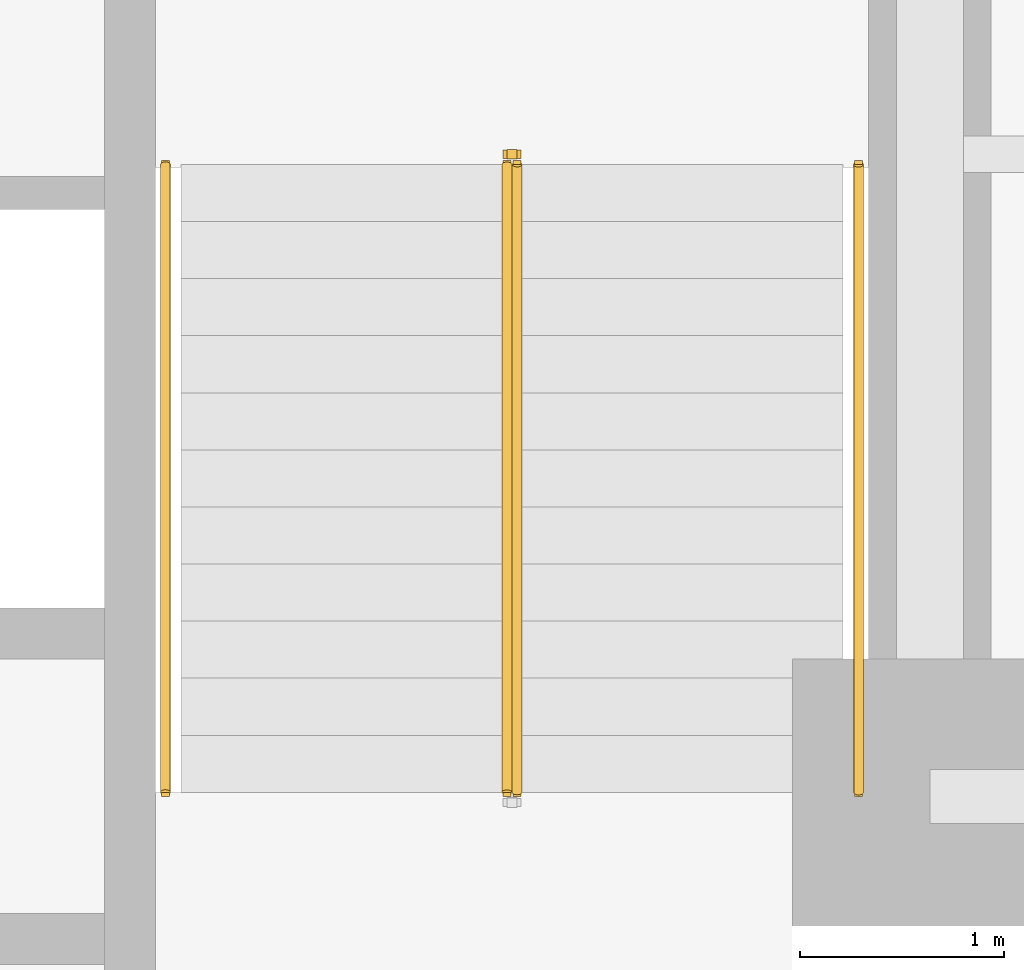
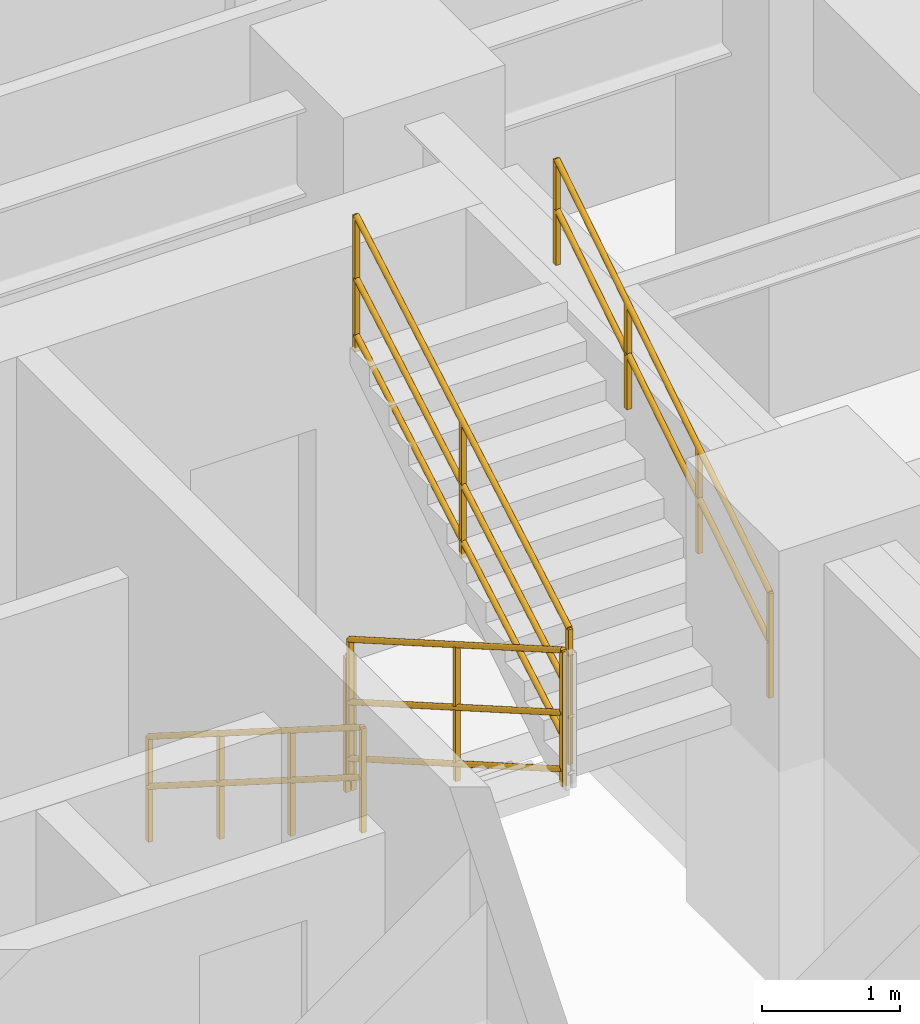
# One storey, part 8 of 9: 5 railings.
"""IFC4 building model written with IfcOpenShell, lengths in metres."""

from ifc_helpers import new_model, entity, si_unit, converted_unit, direction, frame, origin_with_axes, origin_2d_with_axis, place, context, subcontext, project, spatial, rectangle, circle, extrude, material, type_object, element, save


model = new_model("IFC4")

# Units and contexts
model_context = context("Model", 3, precision=1e-05, world=origin_with_axes(), true_north=direction((0.0, 1.0)))
body_context = subcontext(model_context, "Body", "Model", "MODEL_VIEW")
ifc_project = project(units=[si_unit("LENGTHUNIT", "METRE"), si_unit("AREAUNIT", "SQUARE_METRE"), si_unit("VOLUMEUNIT", "CUBIC_METRE"), converted_unit("PLANEANGLEUNIT", "DEGREE", entity("IfcPlaneAngleMeasure", 0.017453292519943295), si_unit("PLANEANGLEUNIT", "RADIAN"), dimensions=[0, 0, 0, 0, 0, 0, 0]), si_unit("MASSUNIT", "GRAM", prefix="KILO"), si_unit("THERMODYNAMICTEMPERATUREUNIT", "KELVIN")], contexts=[model_context])

# Site, building, storey
site_placement = place(None, origin_with_axes())
site = spatial("IfcSite", under=ifc_project, at=site_placement, CompositionType="ELEMENT")
building_placement = place(site_placement, origin_with_axes())
building = spatial("IfcBuilding", under=site, at=building_placement, Name="Varnlund Millrace Tower", CompositionType="ELEMENT")
storey_placement = place(building_placement, frame((0.0, 0.0, 52.2), z_axis=(0.0, 0.0, 1.0), x_axis=(1.0, 0.0, 0.0)))
storey = spatial("IfcBuildingStorey", under=building, at=storey_placement, Name="L12", CompositionType="ELEMENT", Elevation=52.2)

# Railings
ifc_material_1 = material(Name="Painted steel stair well balustrade guard", Category="steel")
railing_type_1 = type_object("IfcRailingType", Name="Type-StairGuard-1150", PredefinedType="GUARDRAIL", material=ifc_material_1)
railing_1_placement = place(storey_placement, frame((0.0, 0.0, -52.2), z_axis=(0.0, 0.0, 1.0), x_axis=(1.0, 0.0, 0.0)))
element("IfcRailing", 1, at=railing_1_placement, inside=storey, type_object=railing_type_1, Name="Type-StairGuard-1150", PredefinedType="GUARDRAIL", context=body_context, shape_type="SweptSolid", body=[
    extrude(circle(Radius=0.024, at=origin_2d_with_axis()), frame((45.975, 21.1, 53.527273), z_axis=(0.0, -0.866696, 0.498836), x_axis=(1.0, 0.0, 0.0)), (0.0, 0.0, 1.0), 3.553725),
    extrude(circle(Radius=0.024, at=origin_2d_with_axis()), frame((45.975, 21.1, 52.477273), z_axis=(0.0, -0.866696, 0.498836), x_axis=(1.0, 0.0, 0.0)), (0.0, 0.0, 1.0), 3.553725),
    extrude(circle(Radius=0.024, at=origin_2d_with_axis()), frame((45.975, 21.1, 52.975273), z_axis=(0.0, -0.866696, 0.498836), x_axis=(1.0, 0.0, 0.0)), (0.0, 0.0, 1.0), 3.553725),
    extrude(rectangle(XDim=0.04, YDim=0.04, at=origin_2d_with_axis()), frame((45.975, 21.1, 52.337273), z_axis=(0.0, 0.0, 1.0), x_axis=(1.0, 0.0, 0.0)), (0.0, 0.0, 1.0), 1.19),
    extrude(rectangle(XDim=0.04, YDim=0.04, at=origin_2d_with_axis()), frame((45.975, 19.56, 53.223637), z_axis=(0.0, 0.0, 1.0), x_axis=(1.0, 0.0, 0.0)), (0.0, 0.0, 1.0), 1.19),
    extrude(rectangle(XDim=0.04, YDim=0.04, at=origin_2d_with_axis()), frame((45.975, 18.02, 54.11), z_axis=(0.0, 0.0, 1.0), x_axis=(1.0, 0.0, 0.0)), (0.0, 0.0, 1.0), 1.19),
])
railing_2_placement = place(storey_placement, frame((0.0, 0.0, -52.2), z_axis=(0.0, 0.0, 1.0), x_axis=(1.0, 0.0, 0.0)))
element("IfcRailing", 2, at=railing_2_placement, inside=storey, type_object=railing_type_1, Name="Type-StairGuard-1150", PredefinedType="GUARDRAIL", context=body_context, shape_type="SweptSolid", body=[
    extrude(circle(Radius=0.024, at=origin_2d_with_axis()), frame((46.025, 18.02, 55.477273), z_axis=(0.0, 0.866696, 0.498836), x_axis=(-1.0, 0.0, 0.0)), (0.0, 0.0, 1.0), 3.553725),
    extrude(circle(Radius=0.024, at=origin_2d_with_axis()), frame((46.025, 18.02, 54.427273), z_axis=(0.0, 0.866696, 0.498836), x_axis=(-1.0, 0.0, 0.0)), (0.0, 0.0, 1.0), 3.553725),
    extrude(circle(Radius=0.024, at=origin_2d_with_axis()), frame((46.025, 18.02, 54.925273), z_axis=(0.0, 0.866696, 0.498836), x_axis=(-1.0, 0.0, 0.0)), (0.0, 0.0, 1.0), 3.553725),
    extrude(rectangle(XDim=0.04, YDim=0.04, at=origin_2d_with_axis()), frame((46.025, 18.02, 54.287273), z_axis=(0.0, 0.0, 1.0), x_axis=(1.0, 0.0, 0.0)), (0.0, 0.0, 1.0), 1.19),
    extrude(rectangle(XDim=0.04, YDim=0.04, at=origin_2d_with_axis()), frame((46.025, 19.56, 55.173636), z_axis=(0.0, 0.0, 1.0), x_axis=(1.0, 0.0, 0.0)), (0.0, 0.0, 1.0), 1.19),
    extrude(rectangle(XDim=0.04, YDim=0.04, at=origin_2d_with_axis()), frame((46.025, 21.1, 56.06), z_axis=(0.0, 0.0, 1.0), x_axis=(1.0, 0.0, 0.0)), (0.0, 0.0, 1.0), 1.19),
])
railing_3_placement = place(storey_placement, frame((0.0, 0.0, -52.2), z_axis=(0.0, 0.0, 1.0), x_axis=(1.0, 0.0, 0.0)))
element("IfcRailing", 3, at=railing_3_placement, inside=storey, type_object=railing_type_1, Name="Type-StairGuard-1150", PredefinedType="GUARDRAIL", context=body_context, shape_type="SweptSolid", body=[
    extrude(circle(Radius=0.024, at=origin_2d_with_axis()), frame((46.025, 21.15, 53.35), z_axis=(-1.0, 0.0, 0.0), x_axis=(0.0, -1.0, 0.0)), (0.0, 0.0, 1.0), 0.05),
    extrude(circle(Radius=0.024, at=origin_2d_with_axis()), frame((46.025, 21.15, 52.3), z_axis=(-1.0, 0.0, 0.0), x_axis=(0.0, -1.0, 0.0)), (0.0, 0.0, 1.0), 0.05),
    extrude(circle(Radius=0.024, at=origin_2d_with_axis()), frame((46.025, 21.15, 52.798), z_axis=(-1.0, 0.0, 0.0), x_axis=(0.0, -1.0, 0.0)), (0.0, 0.0, 1.0), 0.05),
    extrude(rectangle(XDim=0.04, YDim=0.04, at=origin_2d_with_axis()), frame((46.025, 21.15, 52.16), z_axis=(0.0, 0.0, 1.0), x_axis=(1.0, 0.0, 0.0)), (0.0, 0.0, 1.0), 1.19),
    extrude(rectangle(XDim=0.04, YDim=0.04, at=origin_2d_with_axis()), frame((45.975, 21.15, 52.16), z_axis=(0.0, 0.0, 1.0), x_axis=(1.0, 0.0, 0.0)), (0.0, 0.0, 1.0), 1.19),
])
ifc_material_2 = material(Name="Brushed architectural bronze stair handrail", Category="aluminium")
railing_type_2 = type_object("IfcRailingType", Name="Type-StairHandrail-900", PredefinedType="HANDRAIL", material=ifc_material_2)
railing_4_placement = place(storey_placement, frame((0.0, 0.0, -52.2), z_axis=(0.0, 0.0, 1.0), x_axis=(1.0, 0.0, 0.0)))
element("IfcRailing", 4, at=railing_4_placement, inside=storey, type_object=railing_type_2, Name="Type-StairHandrail-900", PredefinedType="HANDRAIL", context=body_context, shape_type="SweptSolid", body=[
    extrude(circle(Radius=0.024, at=origin_2d_with_axis()), frame((44.3, 21.1, 53.256995), z_axis=(0.0, -0.844902, 0.534922), x_axis=(1.0, 0.0, 0.0)), (0.0, 0.0, 1.0), 3.645394),
    extrude(circle(Radius=0.024, at=origin_2d_with_axis()), frame((44.3, 21.1, 52.817134), z_axis=(0.0, -0.844902, 0.534922), x_axis=(1.0, 0.0, 0.0)), (0.0, 0.0, 1.0), 3.645394),
    extrude(rectangle(XDim=0.04, YDim=0.04, at=origin_2d_with_axis()), frame((44.3, 21.1, 52.337273), z_axis=(0.0, 0.0, 1.0), x_axis=(1.0, 0.0, 0.0)), (0.0, 0.0, 1.0), 0.919722),
    extrude(rectangle(XDim=0.04, YDim=0.04, at=origin_2d_with_axis()), frame((44.3, 20.073333, 52.987273), z_axis=(0.0, 0.0, 1.0), x_axis=(1.0, 0.0, 0.0)), (0.0, 0.0, 1.0), 0.919722),
    extrude(rectangle(XDim=0.04, YDim=0.04, at=origin_2d_with_axis()), frame((44.3, 19.046667, 53.637273), z_axis=(0.0, 0.0, 1.0), x_axis=(1.0, 0.0, 0.0)), (0.0, 0.0, 1.0), 0.919722),
    extrude(rectangle(XDim=0.04, YDim=0.04, at=origin_2d_with_axis()), frame((44.3, 18.02, 54.287273), z_axis=(0.0, 0.0, 1.0), x_axis=(1.0, 0.0, 0.0)), (0.0, 0.0, 1.0), 0.919722),
])
railing_5_placement = place(storey_placement, frame((0.0, 0.0, -52.2), z_axis=(0.0, 0.0, 1.0), x_axis=(1.0, 0.0, 0.0)))
element("IfcRailing", 5, at=railing_5_placement, inside=storey, type_object=railing_type_2, Name="Type-StairHandrail-900", PredefinedType="HANDRAIL", context=body_context, shape_type="SweptSolid", body=[
    extrude(circle(Radius=0.024, at=origin_2d_with_axis()), frame((47.7, 18.02, 55.206995), z_axis=(0.0, 0.844902, 0.534922), x_axis=(-1.0, 0.0, 0.0)), (0.0, 0.0, 1.0), 3.645394),
    extrude(circle(Radius=0.024, at=origin_2d_with_axis()), frame((47.7, 18.02, 54.767134), z_axis=(0.0, 0.844902, 0.534922), x_axis=(-1.0, 0.0, 0.0)), (0.0, 0.0, 1.0), 3.645394),
    extrude(rectangle(XDim=0.04, YDim=0.04, at=origin_2d_with_axis()), frame((47.7, 18.02, 54.287273), z_axis=(0.0, 0.0, 1.0), x_axis=(1.0, 0.0, 0.0)), (0.0, 0.0, 1.0), 0.919722),
    extrude(rectangle(XDim=0.04, YDim=0.04, at=origin_2d_with_axis()), frame((47.7, 19.046667, 54.937273), z_axis=(0.0, 0.0, 1.0), x_axis=(1.0, 0.0, 0.0)), (0.0, 0.0, 1.0), 0.919722),
    extrude(rectangle(XDim=0.04, YDim=0.04, at=origin_2d_with_axis()), frame((47.7, 20.073333, 55.587273), z_axis=(0.0, 0.0, 1.0), x_axis=(1.0, 0.0, 0.0)), (0.0, 0.0, 1.0), 0.919722),
    extrude(rectangle(XDim=0.04, YDim=0.04, at=origin_2d_with_axis()), frame((47.7, 21.1, 56.237273), z_axis=(0.0, 0.0, 1.0), x_axis=(1.0, 0.0, 0.0)), (0.0, 0.0, 1.0), 0.919722),
])

save(model, "model.ifc")
